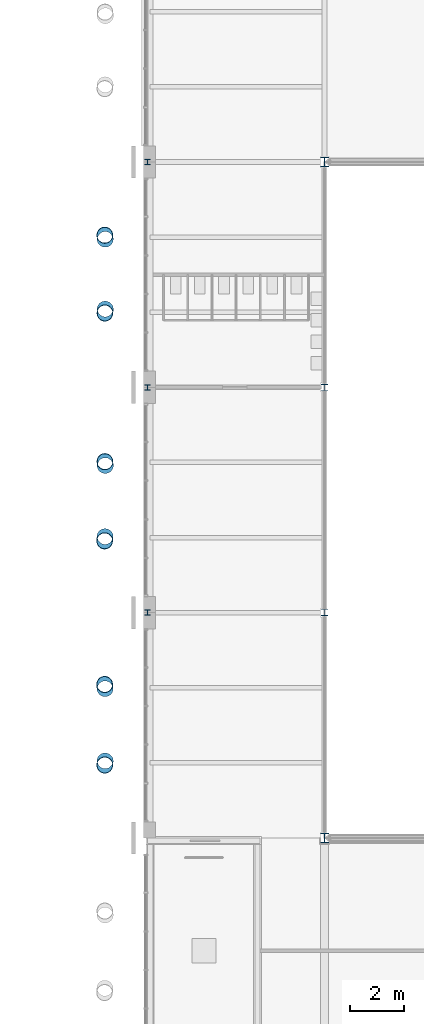
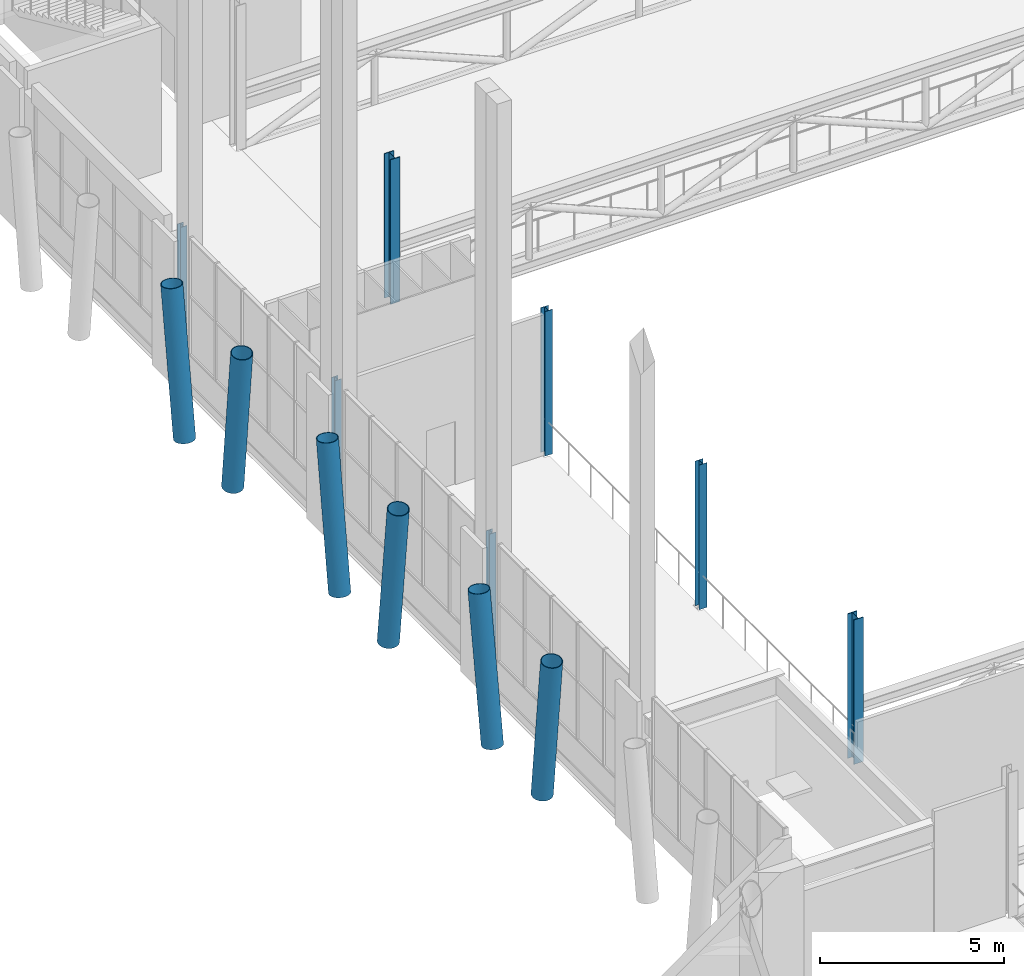
# One storey, part 3 of 76: 13 columns.
"""IFC4 building model written with IfcOpenShell, lengths in metres."""

from ifc_helpers import new_model, si_unit, direction, frame, origin, origin_2d, place, context, subcontext, project, spatial, hollow_circle, i_section, extrude, material, material_profile, profile_set, type_object, element, save


model = new_model("IFC4")

# Units and contexts
model_context = context("Model", 3, precision=1e-05, world=origin(), true_north=direction((0.0, 1.0)))
body_context = subcontext(model_context, "Body", "Model", "MODEL_VIEW")
ifc_project = project(units=[si_unit("LENGTHUNIT", "METRE"), si_unit("AREAUNIT", "SQUARE_METRE"), si_unit("VOLUMEUNIT", "CUBIC_METRE"), si_unit("PLANEANGLEUNIT", "RADIAN"), si_unit("MASSUNIT", "GRAM", prefix="KILO")], contexts=[model_context])

# Site, building, storey
site_placement = place(None, origin())
site = spatial("IfcSite", under=ifc_project, at=site_placement, CompositionType="ELEMENT")
building_placement = place(site_placement, origin())
building = spatial("IfcBuilding", under=site, at=building_placement, Name="Sava Quay Ferry Terminal", CompositionType="ELEMENT")
storey_placement = place(building_placement, frame((0.0, 0.0, 6.0)))
storey = spatial("IfcBuildingStorey", under=building, at=storey_placement, Name="L01", CompositionType="ELEMENT", Elevation=6.0)

# Columns
ifc_material_1 = material(Name="Steel S355", Category="steel")
ifc_material_profile_1 = material_profile(ifc_material_1, i_section(OverallWidth=0.199951171875, OverallDepth=0.199951171875, WebThickness=0.009033203125, FlangeThickness=0.014892578125, at=origin_2d()), Name="HE 200 B")
ifc_profile_set_1 = profile_set([ifc_material_profile_1], Name="Steel S355")
column_type_1 = type_object("IfcColumnType", Name="Column HE 200 B", PredefinedType="COLUMN", material=ifc_profile_set_1)
for number, where, z_axis, x_axis, name in (
    (1, (43.800048828125, 67.199951171875, 0.0), (0.0, 0.0, 1.0), (1.0, 0.0, 0.0), "Column L01 43.8/67.2"),
    (2, (43.800048828125, 75.60009765625, 0.0), (0.0, 0.0, 1.0), (1.0, 0.0, 0.0), "Column L01 43.8/75.6"),
    (3, (43.800048828125, 84.0, 0.0), (0.0, 0.0, 1.0), (1.0, 0.0, 0.0), "Column L01 43.8/84"),
):
    element("IfcColumn", number, at=place(storey_placement, frame(where, z_axis=z_axis, x_axis=x_axis)), inside=storey, type_object=column_type_1, Name=name, PredefinedType="COLUMN", context=body_context, shape_type="SweptSolid", body=[
        extrude(i_section(OverallWidth=0.199951171875, OverallDepth=0.199951171875, WebThickness=0.009033203125, FlangeThickness=0.014892578125, at=origin_2d()), origin(), (0.0, 0.0, 1.0), 4.800048828125),
    ])
ifc_material_2 = material(Name="Steel S355", Category="steel")
ifc_material_profile_2 = material_profile(ifc_material_2, i_section(OverallWidth=0.239990234375, OverallDepth=0.22998046875, WebThickness=0.007568359375, FlangeThickness=0.011962890625, at=origin_2d()), Name="HE 240 A")
ifc_profile_set_2 = profile_set([ifc_material_profile_2], Name="Steel S355")
column_type_2 = type_object("IfcColumnType", Name="Column HE 240 A", PredefinedType="COLUMN", material=ifc_profile_set_2)
for number, where, z_axis, x_axis, name in (
    (4, (50.39990234375, 67.199951171875, 0.0), (0.0, 0.0, 1.0), (1.0, 0.0, 0.0), "Column L01 50.4/67.2"),
    (5, (50.39990234375, 75.60009765625, 0.0), (0.0, 0.0, 1.0), (1.0, 0.0, 0.0), "Column L01 50.4/75.6"),
):
    element("IfcColumn", number, at=place(storey_placement, frame(where, z_axis=z_axis, x_axis=x_axis)), inside=storey, type_object=column_type_2, Name=name, PredefinedType="COLUMN", context=body_context, shape_type="SweptSolid", body=[
        extrude(i_section(OverallWidth=0.239990234375, OverallDepth=0.22998046875, WebThickness=0.007568359375, FlangeThickness=0.011962890625, at=origin_2d()), origin(), (0.0, 0.0, 1.0), 4.800048828125),
    ])
ifc_material_3 = material(Name="Steel S355", Category="steel")
ifc_material_profile_3 = material_profile(ifc_material_3, i_section(OverallWidth=0.300048828125, OverallDepth=0.360107421875, WebThickness=0.012451171875, FlangeThickness=0.0224609375, at=origin_2d()), Name="HE 360 B")
ifc_profile_set_3 = profile_set([ifc_material_profile_3], Name="Steel S355")
column_type_3 = type_object("IfcColumnType", Name="Column HE 360 B", PredefinedType="COLUMN", material=ifc_profile_set_3)
for number, where, z_axis, x_axis, name in (
    (6, (50.39990234375, 58.800048828125, 0.0), (0.0, 0.0, 1.0), (1.0, 0.0, 0.0), "Column L01 50.4/58.8"),
    (7, (50.39990234375, 84.0, 0.0), (0.0, 0.0, 1.0), (1.0, 0.0, 0.0), "Column L01 50.4/84"),
):
    element("IfcColumn", number, at=place(storey_placement, frame(where, z_axis=z_axis, x_axis=x_axis)), inside=storey, type_object=column_type_3, Name=name, PredefinedType="COLUMN", context=body_context, shape_type="SweptSolid", body=[
        extrude(i_section(OverallWidth=0.300048828125, OverallDepth=0.360107421875, WebThickness=0.012451171875, FlangeThickness=0.0224609375, at=origin_2d()), origin(), (0.0, 0.0, 1.0), 4.800048828125),
    ])
ifc_material_4 = material(Name="Steel S355", Category="steel")
ifc_material_profile_4 = material_profile(ifc_material_4, hollow_circle(Radius=0.304931640625, WallThickness=0.02001953125, at=origin_2d()), Name="CHS 610 x 20.0")
ifc_profile_set_4 = profile_set([ifc_material_profile_4], Name="Steel S355")
column_type_4 = type_object("IfcColumnType", Name="V column CHS 610x20", PredefinedType="COLUMN", material=ifc_profile_set_4)
column_1_placement = place(storey_placement, frame((42.21875, 61.66650390625, 0.0), z_axis=(-0.010998920165, -0.125983044275, 0.9919714191), x_axis=(0.996210587756, -0.086973931971, 0.0)))
element("IfcColumn", 8, at=column_1_placement, inside=storey, type_object=column_type_4, Name="Departure hall V column D-VL1b part 2", PredefinedType="COLUMN", context=body_context, shape_type="SweptSolid", body=[
    extrude(hollow_circle(Radius=0.304931640625, WallThickness=0.02001953125, at=origin_2d()), origin(), (0.0, 0.0, 1.0), 4.8388671875),
])
for number, where, z_axis, x_axis, name in (
    (9, (42.21533203125, 64.37158203125, 0.0), (-0.011395037793, 0.130992514098, 0.991317867469), (-0.996237709872, -0.086662710713, 0.0), "Departure hall V column D-VL2a part 2"),
    (10, (42.21533203125, 70.028564453125, 0.0), (-0.011394962518, -0.131042068961, 0.991311318906), (0.996240588196, -0.086629616365, 0.0), "Departure hall V column D-VL2b part 2"),
):
    element("IfcColumn", number, at=place(storey_placement, frame(where, z_axis=z_axis, x_axis=x_axis)), inside=storey, type_object=column_type_4, Name=name, PredefinedType="COLUMN", context=body_context, shape_type="SweptSolid", body=[
        extrude(hollow_circle(Radius=0.304931640625, WallThickness=0.02001953125, at=origin_2d()), origin(), (0.0, 0.0, 1.0), 4.842041015625),
    ])
for number, where, z_axis, x_axis, name in (
    (11, (42.222412109375, 72.69091796875, 0.0), (-0.010501878321, 0.120317192492, 0.992679950308), (-0.996212299279, -0.086954325745, 0.0), "Departure hall V column D-VL3a part 2"),
    (12, (42.222412109375, 78.509033203125, 0.0), (-0.010501878321, -0.120317192492, 0.992679950308), (0.996212299279, -0.086954325745, 0.0), "Departure hall V column D-VL3b part 2"),
):
    element("IfcColumn", number, at=place(storey_placement, frame(where, z_axis=z_axis, x_axis=x_axis)), inside=storey, type_object=column_type_4, Name=name, PredefinedType="COLUMN", context=body_context, shape_type="SweptSolid", body=[
        extrude(hollow_circle(Radius=0.304931640625, WallThickness=0.02001953125, at=origin_2d()), origin(), (0.0, 0.0, 1.0), 4.83544921875),
    ])
column_2_placement = place(storey_placement, frame((42.219482421875, 81.124755859375, 0.0), z_axis=(-0.010899610933, 0.12484091411, 0.992116900695), x_axis=(-0.996210308302, -0.086977132819, 0.0)))
element("IfcColumn", 13, at=column_2_placement, inside=storey, type_object=column_type_4, Name="Departure hall V column D-VL4a part 2", PredefinedType="COLUMN", context=body_context, shape_type="SweptSolid", body=[
    extrude(hollow_circle(Radius=0.304931640625, WallThickness=0.02001953125, at=origin_2d()), origin(), (0.0, 0.0, 1.0), 4.838134765625),
])

save(model, "model.ifc")
